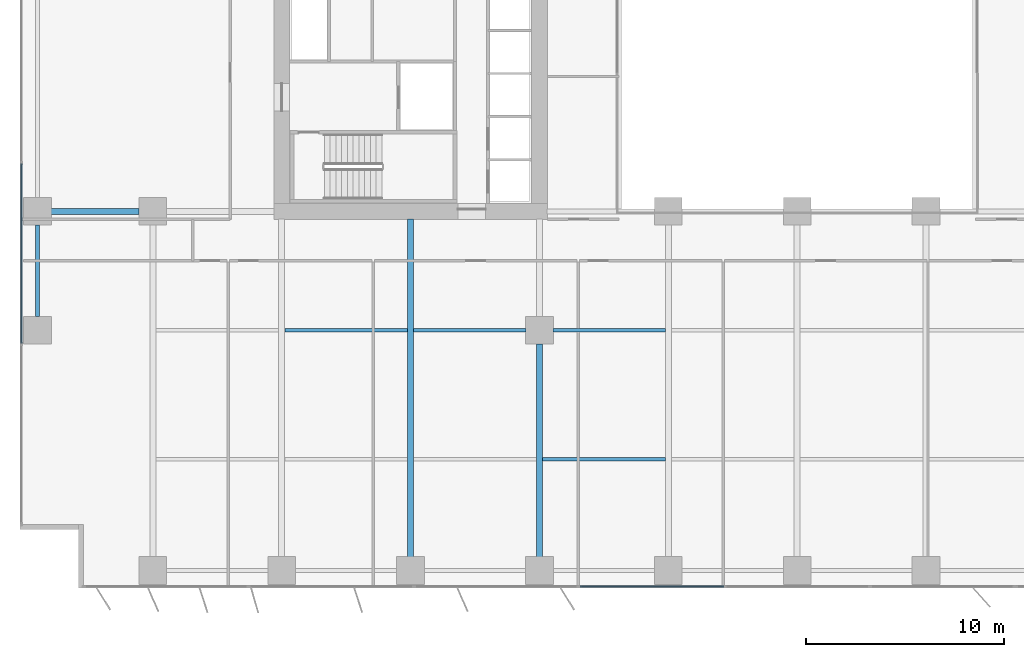
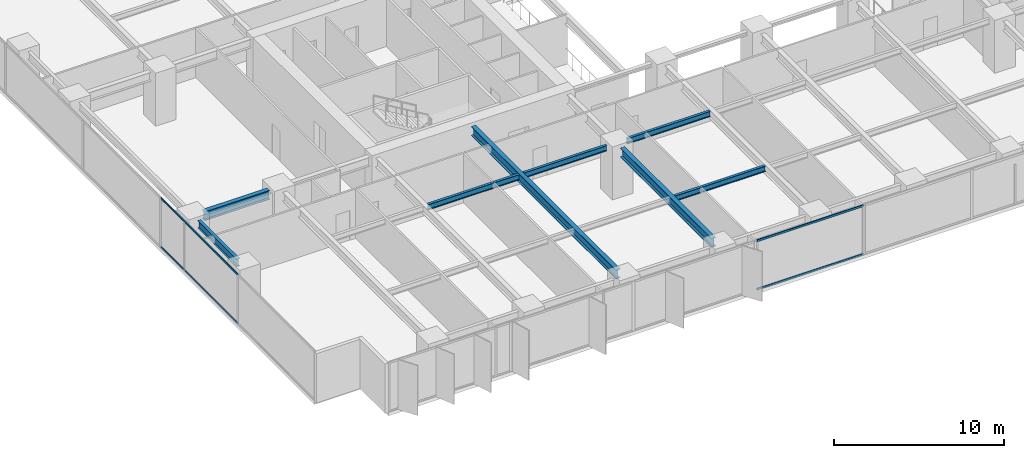
# One storey, part 3 of 20: 8 beams, 4 members, 2 elements without a shape of their own.
"""IFC4 building model written with IfcOpenShell, lengths in metres."""

from ifc_helpers import new_model, si_unit, direction, frame, origin, origin_2d, place, context, subcontext, project, spatial, rectangle, i_section, extrude, material, layer, layer_set, material_profile, profile_set, type_object, element, aggregate, save


model = new_model("IFC4")

# Units and contexts
model_context = context("Model", 3, precision=1e-05, world=origin(), true_north=direction((0.0, 1.0)))
body_context = subcontext(model_context, "Body", "Model", "MODEL_VIEW")
ifc_project = project(units=[si_unit("LENGTHUNIT", "METRE"), si_unit("AREAUNIT", "SQUARE_METRE"), si_unit("VOLUMEUNIT", "CUBIC_METRE"), si_unit("PLANEANGLEUNIT", "RADIAN"), si_unit("MASSUNIT", "GRAM", prefix="KILO")], contexts=[model_context])

# Site, building, storey
site_placement = place(None, origin())
site = spatial("IfcSite", under=ifc_project, at=site_placement, CompositionType="ELEMENT")
building_placement = place(site_placement, origin())
building = spatial("IfcBuilding", under=site, at=building_placement, Name="Putna Gate Headquarters", CompositionType="ELEMENT")
storey_placement = place(building_placement, frame((0.0, 0.0, 69.60009765625)))
storey = spatial("IfcBuildingStorey", under=building, at=storey_placement, Name="L16", CompositionType="ELEMENT", Elevation=69.60009765625)

# Beams
ifc_material_1 = material(Name="Steel S355J2", Category="steel")
ifc_material_profile_1 = material_profile(ifc_material_1, i_section(OverallWidth=0.300048828125, OverallDepth=0.64990234375, WebThickness=0.01611328125, FlangeThickness=0.031005859375, at=origin_2d()), Name="Steel S355J2")
ifc_profile_set_1 = profile_set([ifc_material_profile_1], Name="Steel S355J2")
beam_type_1 = type_object("IfcBeamType", Name="BM-GIRD-Z1-HEB650", PredefinedType="USERDEFINED", material=ifc_profile_set_1)
beam_1_placement = place(storey_placement, frame((1.367919921875, 19.0, 3.224853515625), z_axis=(1.0, 0.0, 0.0), x_axis=(0.0, 1.0, 0.0)))
element("IfcBeam", 1, at=beam_1_placement, inside=storey, type_object=beam_type_1, Name="L16 West Wing Girder Y19-1", ObjectType="GIRDER", PredefinedType="USERDEFINED", context=body_context, shape_type="SweptSolid", body=[
    extrude(i_section(OverallWidth=0.300048828125, OverallDepth=0.64990234375, WebThickness=0.01611328125, FlangeThickness=0.031005859375, at=origin_2d()), origin(), (0.0, 0.0, 1.0), 4.444091796875),
])
beam_2_placement = place(storey_placement, frame((19.5, 1.568115234375, 3.224853515625), z_axis=(0.0, 1.0, 0.0), x_axis=(-1.0, 0.0, 0.0)))
element("IfcBeam", 2, at=beam_2_placement, inside=storey, type_object=beam_type_1, Name="L16 South Primary Girder X19", ObjectType="GIRDER", PredefinedType="USERDEFINED", context=body_context, shape_type="SweptSolid", body=[
    extrude(i_section(OverallWidth=0.300048828125, OverallDepth=0.64990234375, WebThickness=0.01611328125, FlangeThickness=0.031005859375, at=origin_2d()), origin(), (0.0, 0.0, 1.0), 17.046875),
])
beam_3_placement = place(storey_placement, frame((26.0, 1.568115234375, 3.224853515625), z_axis=(0.0, 1.0, 0.0), x_axis=(-1.0, 0.0, 0.0)))
element("IfcBeam", 3, at=beam_3_placement, inside=storey, type_object=beam_type_1, Name="L16 South Primary Girder X26-1", ObjectType="GIRDER", PredefinedType="USERDEFINED", context=body_context, shape_type="SweptSolid", body=[
    extrude(i_section(OverallWidth=0.300048828125, OverallDepth=0.64990234375, WebThickness=0.01611328125, FlangeThickness=0.031005859375, at=origin_2d()), origin(), (0.0, 0.0, 1.0), 10.743896484375),
])
ifc_material_profile_2 = material_profile(ifc_material_1, i_section(OverallWidth=0.179931640625, OverallDepth=0.39990234375, WebThickness=0.008544921875, FlangeThickness=0.013427734375, at=origin_2d()), Name="Steel S355J2")
ifc_profile_set_2 = profile_set([ifc_material_profile_2], Name="Steel S355J2")
beam_type_2 = type_object("IfcBeamType", Name="BM-SEC-Z1-IPE400", PredefinedType="BEAM", material=ifc_profile_set_2)
beam_4_placement = place(storey_placement, frame((13.154052734375, 13.0, 3.349853515625), z_axis=(1.0, 0.0, 0.0), x_axis=(0.0, 1.0, 0.0)))
element("IfcBeam", 4, at=beam_4_placement, inside=storey, type_object=beam_type_2, Name="L16 South Secondary Beam 2", PredefinedType="BEAM", context=body_context, shape_type="SweptSolid", body=[
    extrude(i_section(OverallWidth=0.179931640625, OverallDepth=0.39990234375, WebThickness=0.008544921875, FlangeThickness=0.013427734375, at=origin_2d()), origin(), (0.0, 0.0, 1.0), 6.19189453125),
])
beam_5_placement = place(storey_placement, frame((19.654052734375, 13.0, 3.349853515625), z_axis=(1.0, 0.0, 0.0), x_axis=(0.0, 1.0, 0.0)))
element("IfcBeam", 5, at=beam_5_placement, inside=storey, type_object=beam_type_2, Name="L16 South Secondary Beam 3", PredefinedType="BEAM", context=body_context, shape_type="SweptSolid", body=[
    extrude(i_section(OverallWidth=0.179931640625, OverallDepth=0.39990234375, WebThickness=0.008544921875, FlangeThickness=0.013427734375, at=origin_2d()), origin(), (0.0, 0.0, 1.0), 5.657958984375),
])
beam_6_placement = place(storey_placement, frame((26.154052734375, 6.5, 3.349853515625), z_axis=(1.0, 0.0, 0.0), x_axis=(0.0, 1.0, 0.0)))
element("IfcBeam", 6, at=beam_6_placement, inside=storey, type_object=beam_type_2, Name="L16 South Secondary Beam 4", PredefinedType="BEAM", context=body_context, shape_type="SweptSolid", body=[
    extrude(i_section(OverallWidth=0.179931640625, OverallDepth=0.39990234375, WebThickness=0.008544921875, FlangeThickness=0.013427734375, at=origin_2d()), origin(), (0.0, 0.0, 1.0), 6.19189453125),
])
beam_7_placement = place(storey_placement, frame((26.68798828125, 13.0, 3.349853515625), z_axis=(1.0, 0.0, 0.0), x_axis=(0.0, 1.0, 0.0)))
element("IfcBeam", 7, at=beam_7_placement, inside=storey, type_object=beam_type_2, Name="L16 South Secondary Beam 4", PredefinedType="BEAM", context=body_context, shape_type="SweptSolid", body=[
    extrude(i_section(OverallWidth=0.179931640625, OverallDepth=0.39990234375, WebThickness=0.008544921875, FlangeThickness=0.013427734375, at=origin_2d()), origin(), (0.0, 0.0, 1.0), 5.657958984375),
])
ifc_material_profile_3 = material_profile(ifc_material_1, i_section(OverallWidth=0.2099609375, OverallDepth=0.550048828125, WebThickness=0.010986328125, FlangeThickness=0.01708984375, at=origin_2d()), Name="Steel S355J2")
ifc_profile_set_3 = profile_set([ifc_material_profile_3], Name="Steel S355J2")
beam_type_3 = type_object("IfcBeamType", Name="BM-SPAN-Z1-IPE550", PredefinedType="SPANDREL", material=ifc_profile_set_3)
beam_8_placement = place(storey_placement, frame((0.679931640625, 13.68798828125, 3.27490234375), z_axis=(0.0, 1.0, 0.0), x_axis=(-1.0, 0.0, 0.0)))
element("IfcBeam", 8, at=beam_8_placement, inside=storey, type_object=beam_type_3, Name="L16 W End Spandrel 1", PredefinedType="SPANDREL", context=body_context, shape_type="SweptSolid", body=[
    extrude(i_section(OverallWidth=0.2099609375, OverallDepth=0.550048828125, WebThickness=0.010986328125, FlangeThickness=0.01708984375, at=origin_2d()), origin(), (0.0, 0.0, 1.0), 4.6240234375),
])

# Curtain wall, members
ifc_material_2 = material(Name="Anodised bronze aluminium curtain wall", Category="aluminium")
ifc_layer_1 = layer(ifc_material_2, 0.179931640625)
ifc_layer_set_1 = layer_set([ifc_layer_1], Name="Anodised bronze aluminium curtain wall")
curtain_wall_type_1 = type_object("IfcCurtainWallType", Name="CW-SYS-Z1", PredefinedType="USERDEFINED", material=ifc_layer_set_1)
curtain_wall_1_placement = place(storey_placement, origin())
curtain_wall_1 = element("IfcCurtainWall", 9, at=curtain_wall_1_placement, inside=storey, type_object=curtain_wall_type_1, Name="L16 West Curtain Wall", ObjectType="STICK CURTAIN WALL", PredefinedType="USERDEFINED")
ifc_material_3 = material(Name="Anodised bronze aluminium EN AW-6060", Category="aluminium")
ifc_material_profile_4 = material_profile(ifc_material_3, rectangle(XDim=0.06494140625, YDim=0.1201171875, at=origin_2d()), Name="Anodised bronze aluminium EN AW-6060")
ifc_profile_set_4 = profile_set([ifc_material_profile_4], Name="Anodised bronze aluminium EN AW-6060")
member_type_1 = type_object("IfcMemberType", Name="TRAN-CWT-1", PredefinedType="USERDEFINED", material=ifc_profile_set_4)
member_1_placement = place(storey_placement, frame((-0.1201171875, 12.35498046875, 0.032470703125), z_axis=(0.0, 1.0, 0.0), x_axis=(-1.0, 0.0, 0.0)))
member_1 = element("IfcMember", 10, at=member_1_placement, type_object=member_type_1, Name="CWS-1 transom 2.1", ObjectType="TRANSOM", PredefinedType="USERDEFINED", context=body_context, shape_type="SweptSolid", body=[
    extrude(rectangle(XDim=0.06494140625, YDim=0.1201171875, at=origin_2d()), origin(), (0.0, 0.0, 1.0), 9.050048828125),
])
member_2_placement = place(storey_placement, frame((-0.1201171875, 12.35498046875, 3.517333984375), z_axis=(0.0, 1.0, 0.0), x_axis=(-1.0, 0.0, 0.0)))
member_2 = element("IfcMember", 11, at=member_2_placement, type_object=member_type_1, Name="CWS-1 transom 2.2", ObjectType="TRANSOM", PredefinedType="USERDEFINED", context=body_context, shape_type="SweptSolid", body=[
    extrude(rectangle(XDim=0.06494140625, YDim=0.1201171875, at=origin_2d()), origin(), (0.0, 0.0, 1.0), 9.050048828125),
])
aggregate(curtain_wall_1, [member_1, member_2])

ifc_layer_2 = layer(ifc_material_2, 0.179931640625)
ifc_layer_set_2 = layer_set([ifc_layer_2], Name="Anodised bronze aluminium curtain wall")
curtain_wall_type_2 = type_object("IfcCurtainWallType", Name="CW-SYS-ATR", PredefinedType="USERDEFINED", material=ifc_layer_set_2)
curtain_wall_2_placement = place(storey_placement, origin())
curtain_wall_2 = element("IfcCurtainWall", 12, at=curtain_wall_2_placement, inside=storey, type_object=curtain_wall_type_2, Name="L16 South Atrium Clear Glazing", ObjectType="ATRIUM GLAZING", PredefinedType="USERDEFINED")
ifc_material_profile_5 = material_profile(ifc_material_3, rectangle(XDim=0.070068359375, YDim=0.139892578125, at=origin_2d()), Name="Anodised bronze aluminium EN AW-6060")
ifc_profile_set_5 = profile_set([ifc_material_profile_5], Name="Anodised bronze aluminium EN AW-6060")
member_type_2 = type_object("IfcMemberType", Name="TRAN-CWT-AT", PredefinedType="USERDEFINED", material=ifc_profile_set_5)
member_3_placement = place(storey_placement, frame((28.070068359375, 0.080078125, 0.034912109375), z_axis=(1.0, 0.0, 0.0), x_axis=(0.0, 1.0, 0.0)))
member_3 = element("IfcMember", 13, at=member_3_placement, type_object=member_type_2, Name="CWS-AT transom 1.1", ObjectType="TRANSOM", PredefinedType="USERDEFINED", context=body_context, shape_type="SweptSolid", body=[
    extrude(rectangle(XDim=0.070068359375, YDim=0.139892578125, at=origin_2d()), origin(), (0.0, 0.0, 1.0), 7.228271484375),
])
member_4_placement = place(storey_placement, frame((28.070068359375, 0.080078125, 3.514892578125), z_axis=(1.0, 0.0, 0.0), x_axis=(0.0, 1.0, 0.0)))
member_4 = element("IfcMember", 14, at=member_4_placement, type_object=member_type_2, Name="CWS-AT transom 1.2", ObjectType="TRANSOM", PredefinedType="USERDEFINED", context=body_context, shape_type="SweptSolid", body=[
    extrude(rectangle(XDim=0.070068359375, YDim=0.139892578125, at=origin_2d()), origin(), (0.0, 0.0, 1.0), 7.228271484375),
])
aggregate(curtain_wall_2, [member_3, member_4])

save(model, "model.ifc")
